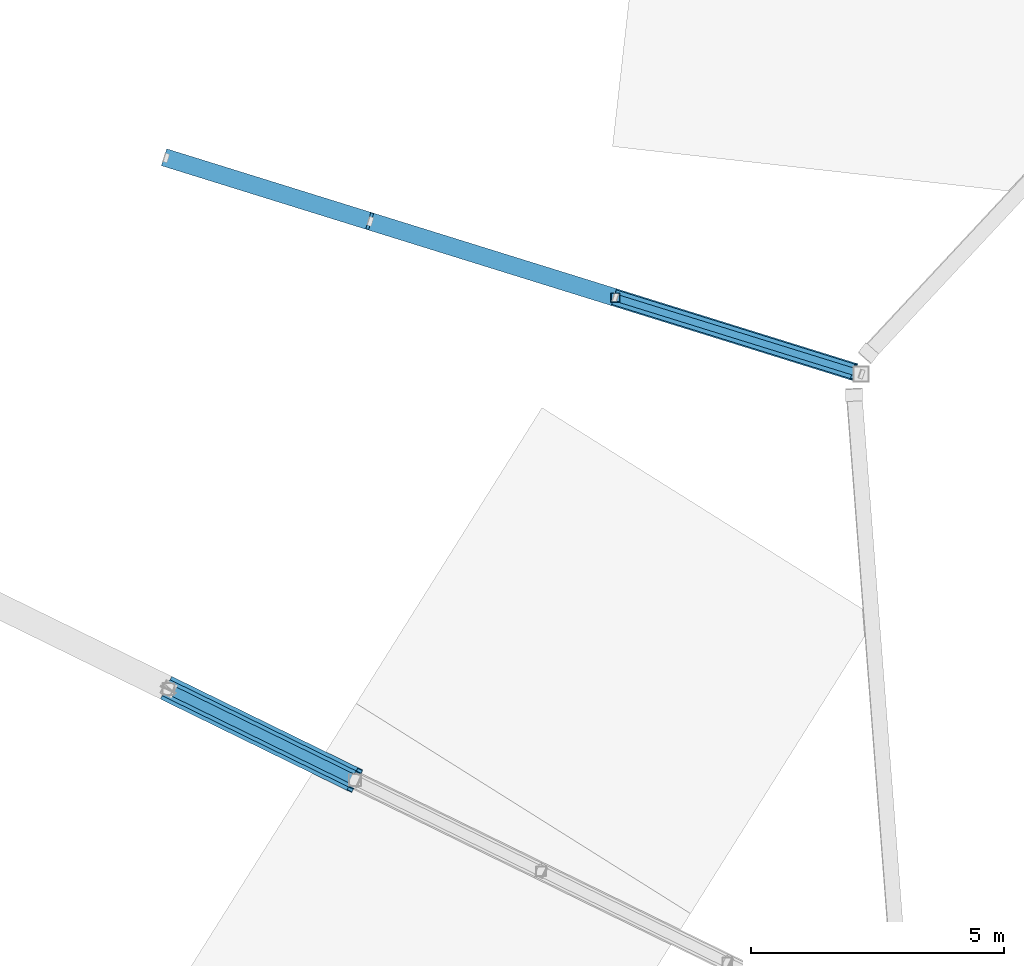
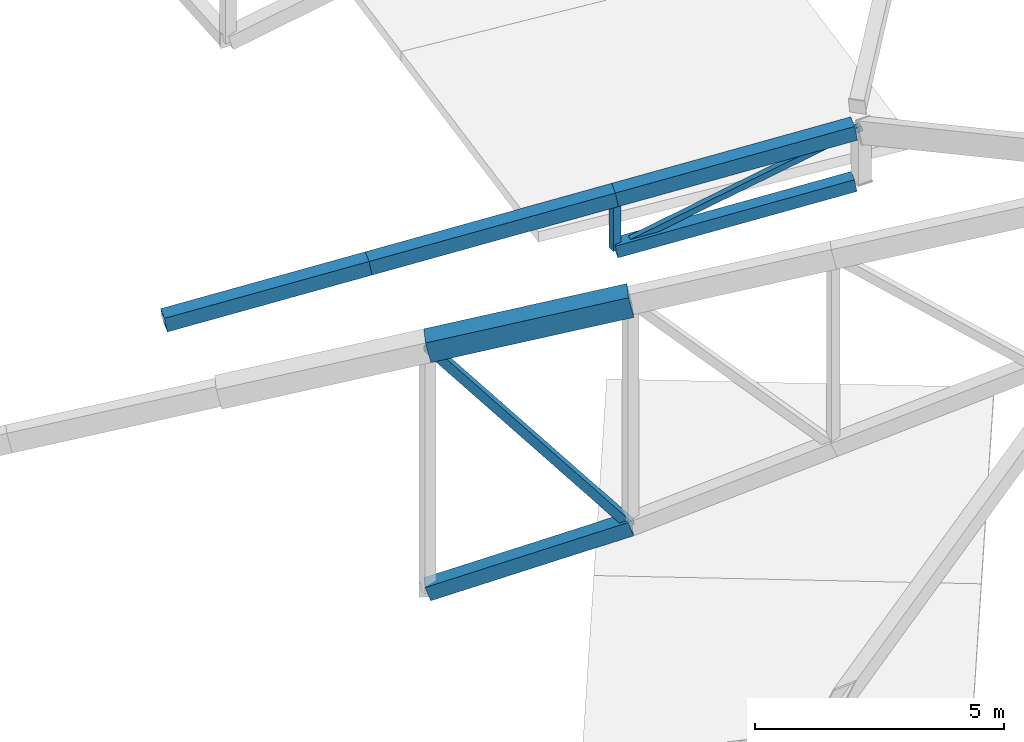
# One storey, part 48 of 188: 9 members.
"""IFC4 building model written with IfcOpenShell, lengths in metres."""

from ifc_helpers import new_model, si_unit, direction, frame, origin, origin_2d, place, context, subcontext, project, spatial, hollow_rectangle, extrude, material, material_profile, profile_set, type_object, element, save


model = new_model("IFC4")

# Units and contexts
model_context = context("Model", 3, precision=1e-05, world=origin(), true_north=direction((0.0, 1.0)))
body_context = subcontext(model_context, "Body", "Model", "MODEL_VIEW")
ifc_project = project(units=[si_unit("LENGTHUNIT", "METRE"), si_unit("AREAUNIT", "SQUARE_METRE"), si_unit("VOLUMEUNIT", "CUBIC_METRE"), si_unit("PLANEANGLEUNIT", "RADIAN"), si_unit("MASSUNIT", "GRAM", prefix="KILO")], contexts=[model_context])

# Site, building, storey
site_placement = place(None, origin())
site = spatial("IfcSite", under=ifc_project, at=site_placement, CompositionType="ELEMENT")
building_placement = place(site_placement, origin())
building = spatial("IfcBuilding", under=site, at=building_placement, Name="Meseta Stadium", CompositionType="ELEMENT")
storey_placement = place(building_placement, frame((0.0, 0.0, 30.0)))
storey = spatial("IfcBuildingStorey", under=building, at=storey_placement, Name="ROOF", CompositionType="ELEMENT", Elevation=30.0)

# Members
ifc_material_1 = material(Name="Steel S355", Category="steel")
ifc_material_profile_1 = material_profile(ifc_material_1, hollow_rectangle(XDim=0.139892578125, YDim=0.139892578125, WallThickness=0.0048828125, at=origin_2d()), Name="SHS 140x140x5")
ifc_profile_set_1 = profile_set([ifc_material_profile_1], Name="Steel S355")
member_type_1 = type_object("IfcMemberType", Name="SHS 140x140x5 diagonal", PredefinedType="BRACE", material=ifc_profile_set_1)
member_1_placement = place(storey_placement, frame((87.02099609375, -64.542724609375, 1.393798828125), z_axis=(0.876389501178, -0.272534952814, 0.397071960379), x_axis=(0.296947777977, 0.954893720345, 0.0)))
element("IfcMember", 1, at=member_1_placement, inside=storey, type_object=member_type_1, Name="ROOF TRUSS RT-55 diagonal", PredefinedType="BRACE", context=body_context, shape_type="SweptSolid", body=[
    extrude(hollow_rectangle(XDim=0.139892578125, YDim=0.139892578125, WallThickness=0.0048828125, at=origin_2d()), origin(), (0.0, 0.0, 1.0), 5.5361328125),
])
ifc_material_2 = material(Name="Steel S355", Category="steel")
ifc_material_profile_2 = material_profile(ifc_material_2, hollow_rectangle(XDim=0.179931640625, YDim=0.179931640625, WallThickness=0.00634765625, at=origin_2d()), Name="SHS 180x180x6.3")
ifc_profile_set_2 = profile_set([ifc_material_profile_2], Name="Steel S355")
member_type_2 = type_object("IfcMemberType", Name="SHS 180x180x6.3 post", PredefinedType="POST", material=ifc_profile_set_2)
member_2_placement = place(storey_placement, frame((87.02099609375, -64.542724609375, 1.393798828125), z_axis=(0.0, 0.0, 1.0), x_axis=(1.0, 0.0, 0.0)))
element("IfcMember", 2, at=member_2_placement, inside=storey, type_object=member_type_2, Name="ROOF TRUSS RT-55 post", PredefinedType="POST", context=body_context, shape_type="SweptSolid", body=[
    extrude(hollow_rectangle(XDim=0.179931640625, YDim=0.179931640625, WallThickness=0.00634765625, at=origin_2d()), origin(), (0.0, 0.0, 1.0), 1.300048828125),
])
ifc_material_3 = material(Name="Steel S355", Category="steel")
ifc_material_profile_3 = material_profile(ifc_material_3, hollow_rectangle(XDim=0.199951171875, YDim=0.199951171875, WallThickness=0.008056640625, at=origin_2d()), Name="SHS 200x200x8")
ifc_profile_set_3 = profile_set([ifc_material_profile_3], Name="Steel S355")
member_type_3 = type_object("IfcMemberType", Name="SHS 200x200x8 diagonal", PredefinedType="BRACE", material=ifc_profile_set_3)
member_3_placement = place(storey_placement, frame((78.197998046875, -72.27197265625, 6.7666015625), z_axis=(0.598684129431, -0.293121918247, -0.745423942606), x_axis=(0.439732992632, 0.898128551595, 0.0)))
element("IfcMember", 3, at=member_3_placement, inside=storey, type_object=member_type_3, Name="ROOF TRUSS RT-54 diagonal", PredefinedType="BRACE", context=body_context, shape_type="SweptSolid", body=[
    extrude(hollow_rectangle(XDim=0.199951171875, YDim=0.199951171875, WallThickness=0.008056640625, at=origin_2d()), origin(), (0.0, 0.0, 1.0), 6.142578125),
])
ifc_material_4 = material(Name="Steel S355", Category="steel")
ifc_material_profile_4 = material_profile(ifc_material_4, hollow_rectangle(XDim=0.300048828125, YDim=0.300048828125, WallThickness=0.010009765625, at=origin_2d()), Name="SHS 300x300x10")
ifc_profile_set_4 = profile_set([ifc_material_profile_4], Name="Steel S355")
member_type_4 = type_object("IfcMemberType", Name="SHS 300x300x10 bottom chord", PredefinedType="CHORD", material=ifc_profile_set_4)
member_4_placement = place(storey_placement, frame((87.02099609375, -64.542724609375, 1.393798828125), z_axis=(0.940304589529, -0.292447154276, 0.174074526758), x_axis=(0.296981322257, 0.954883288277, 0.0)))
element("IfcMember", 4, at=member_4_placement, inside=storey, type_object=member_type_4, Name="ROOF TRUSS RT-55 bottom chord", PredefinedType="CHORD", context=body_context, shape_type="SweptSolid", body=[
    extrude(hollow_rectangle(XDim=0.300048828125, YDim=0.300048828125, WallThickness=0.010009765625, at=origin_2d()), origin(), (0.0, 0.0, 1.0), 5.009765625),
])
ifc_material_5 = material(Name="Steel S355", Category="steel")
ifc_material_profile_5 = material_profile(ifc_material_5, hollow_rectangle(XDim=0.35009765625, YDim=0.35009765625, WallThickness=0.010009765625, at=origin_2d()), Name="SHS 350x350x10")
ifc_profile_set_5 = profile_set([ifc_material_profile_5], Name="Steel S355")
member_type_5 = type_object("IfcMemberType", Name="SHS 350x350x10 bottom chord", PredefinedType="CHORD", material=ifc_profile_set_5)
member_5_placement = place(storey_placement, frame((78.197998046875, -72.27197265625, 0.785400390625), z_axis=(0.849678043698, -0.416011124761, 0.324009206865), x_axis=(0.439732992632, 0.898128551595, 0.0)))
element("IfcMember", 5, at=member_5_placement, inside=storey, type_object=member_type_5, Name="ROOF TRUSS RT-54 bottom chord", PredefinedType="CHORD", context=body_context, shape_type="SweptSolid", body=[
    extrude(hollow_rectangle(XDim=0.35009765625, YDim=0.35009765625, WallThickness=0.010009765625, at=origin_2d()), origin(), (0.0, 0.0, 1.0), 4.328125),
])
ifc_material_6 = material(Name="Steel S355", Category="steel")
ifc_material_profile_6 = material_profile(ifc_material_6, hollow_rectangle(XDim=0.35009765625, YDim=0.35009765625, WallThickness=0.010009765625, at=origin_2d()), Name="SHS 350x350x10")
ifc_profile_set_6 = profile_set([ifc_material_profile_6], Name="Steel S355")
member_type_6 = type_object("IfcMemberType", Name="SHS 350x350x10 top chord", PredefinedType="CHORD", material=ifc_profile_set_6)
member_6_placement = place(storey_placement, frame((78.137451171875, -61.780029296875, 1.04931640625), z_axis=(0.940322919672, -0.292391800443, 0.174068497362), x_axis=(0.296924788831, 0.954900869084, 0.0)))
element("IfcMember", 6, at=member_6_placement, inside=storey, type_object=member_type_6, Name="ROOF TRUSS RT-55 top chord", PredefinedType="CHORD", context=body_context, shape_type="SweptSolid", body=[
    extrude(hollow_rectangle(XDim=0.35009765625, YDim=0.35009765625, WallThickness=0.010009765625, at=origin_2d()), origin(), (0.0, 0.0, 1.0), 4.28759765625),
])
member_7_placement = place(storey_placement, frame((82.169189453125, -63.03369140625, 1.795654296875), z_axis=(0.94030156061, -0.292457301169, 0.174073840964), x_axis=(0.296991589907, 0.954880094842, 0.0)))
element("IfcMember", 7, at=member_7_placement, inside=storey, type_object=member_type_6, Name="ROOF TRUSS RT-55 top chord", PredefinedType="CHORD", context=body_context, shape_type="SweptSolid", body=[
    extrude(hollow_rectangle(XDim=0.35009765625, YDim=0.35009765625, WallThickness=0.010009765625, at=origin_2d()), origin(), (0.0, 0.0, 1.0), 5.159912109375),
])
member_8_placement = place(storey_placement, frame((87.02099609375, -64.542724609375, 2.69384765625), z_axis=(0.940304589529, -0.292447154276, 0.174074526758), x_axis=(0.296981322257, 0.954883288277, 0.0)))
element("IfcMember", 8, at=member_8_placement, inside=storey, type_object=member_type_6, Name="ROOF TRUSS RT-55 top chord", PredefinedType="CHORD", context=body_context, shape_type="SweptSolid", body=[
    extrude(hollow_rectangle(XDim=0.35009765625, YDim=0.35009765625, WallThickness=0.010009765625, at=origin_2d()), origin(), (0.0, 0.0, 1.0), 5.009765625),
])
ifc_material_7 = material(Name="Steel S355", Category="steel")
ifc_material_profile_7 = material_profile(ifc_material_7, hollow_rectangle(XDim=0.5, YDim=0.5, WallThickness=0.01611328125, at=origin_2d()), Name="SHS 500x500x16")
ifc_profile_set_7 = profile_set([ifc_material_profile_7], Name="Steel S355")
member_type_7 = type_object("IfcMemberType", Name="SHS 500x500x16 top chord", PredefinedType="CHORD", material=ifc_profile_set_7)
member_9_placement = place(storey_placement, frame((78.197998046875, -72.27197265625, 6.7666015625), z_axis=(0.876475155626, -0.429131266862, 0.218260526373), x_axis=(0.439732992632, 0.898128551595, 0.0)))
element("IfcMember", 9, at=member_9_placement, inside=storey, type_object=member_type_7, Name="ROOF TRUSS RT-54 top chord", PredefinedType="CHORD", context=body_context, shape_type="SweptSolid", body=[
    extrude(hollow_rectangle(XDim=0.5, YDim=0.5, WallThickness=0.01611328125, at=origin_2d()), origin(), (0.0, 0.0, 1.0), 4.19580078125),
])

save(model, "model.ifc")
